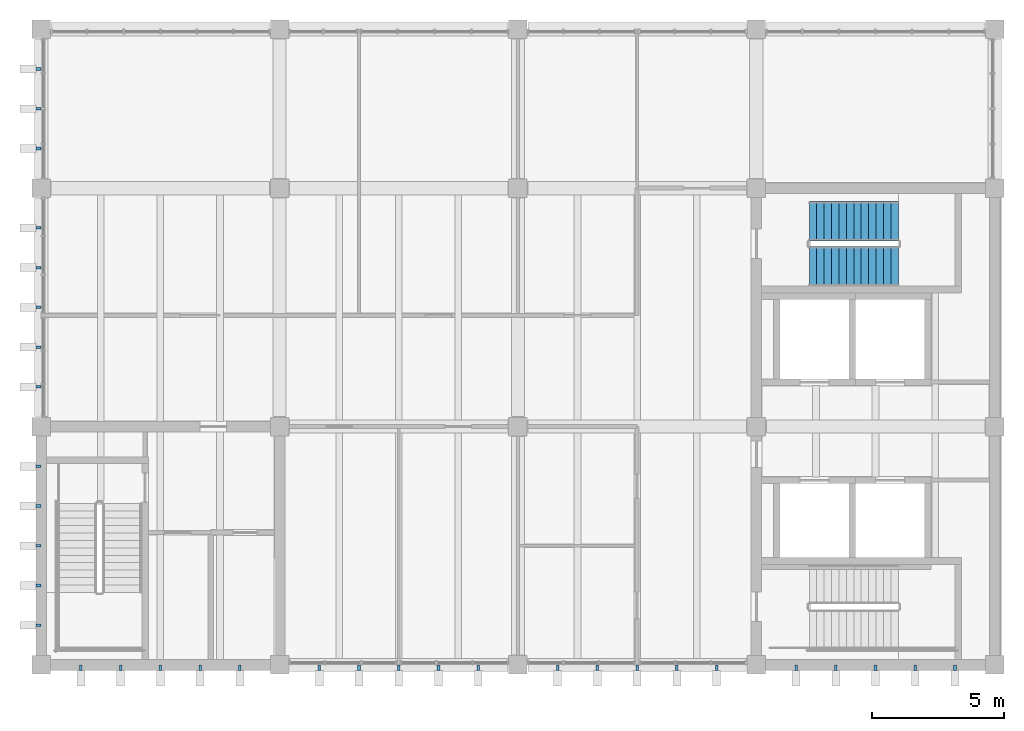
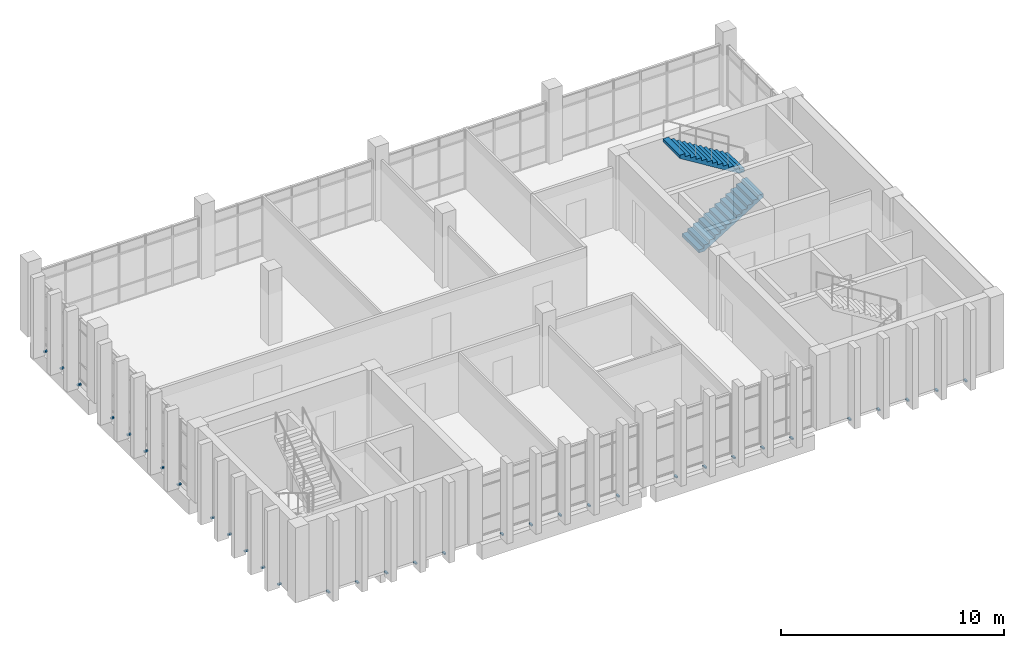
# One storey, part 11 of 14: 33 discrete accessories, 2 stair flights, 1 element without a shape of its own.
"""IFC4 building model written with IfcOpenShell, lengths in metres."""

from ifc_helpers import new_model, si_unit, direction, frame, origin, place, context, subcontext, project, spatial, polyline, outline, extrude, source, transform, mapped, material, type_object, element, aggregate, save


model = new_model("IFC4")

# Units and contexts
model_context = context("Model", 3, precision=1e-05, world=origin(), true_north=direction((0.0, 1.0)))
body_context = subcontext(model_context, "Body", "Model", "MODEL_VIEW")
ifc_project = project(units=[si_unit("LENGTHUNIT", "METRE"), si_unit("AREAUNIT", "SQUARE_METRE"), si_unit("VOLUMEUNIT", "CUBIC_METRE"), si_unit("PLANEANGLEUNIT", "RADIAN"), si_unit("MASSUNIT", "GRAM", prefix="KILO")], contexts=[model_context])

# Site, building, storey
site_placement = place(None, origin())
site = spatial("IfcSite", under=ifc_project, at=site_placement, CompositionType="ELEMENT")
building_placement = place(site_placement, origin())
building = spatial("IfcBuilding", under=site, at=building_placement, Name="Merrow Basin Faculty of Sciences", CompositionType="ELEMENT")
storey_placement = place(building_placement, frame((0.0, 0.0, 36.0)))
storey = spatial("IfcBuildingStorey", under=building, at=storey_placement, Name="L08", CompositionType="ELEMENT", Elevation=36.0)

# Stair, stair flights
ifc_material_1 = material(Name="Concrete C40/50", Category="concrete")
stair_type = type_object("IfcStairType", Name="Concrete dog-leg stair Concrete C40/50", PredefinedType="HALF_TURN_STAIR", material=ifc_material_1)
stair_placement = place(storey_placement, origin())
stair = element("IfcStair", 1, at=stair_placement, inside=storey, type_object=stair_type, Name="L08 Exit stair S", PredefinedType="HALF_TURN_STAIR")
ifc_material_2 = material(Name="Concrete C40/50", Category="concrete")
stair_flight_type = type_object("IfcStairFlightType", Name="Concrete stair flight Concrete C40/50", PredefinedType="STRAIGHT", material=ifc_material_2)
stair_flight_1_placement = place(storey_placement, frame((47.0, 157.050048828125, 0.0), z_axis=(0.0, 0.0, 1.0), x_axis=(1.0, 0.0, 0.0)))
stair_flight_1 = element("IfcStairFlight", 2, at=stair_flight_1_placement, type_object=stair_flight_type, Name="ST-V5-S flight 1", NumberOfRisers=13, NumberOfTreads=12, PredefinedType="STRAIGHT", RiserHeight=0.173076923, TreadLength=0.28, context=body_context, shape_type="SweptSolid", body=[
    extrude(outline(polyline([(0.0, 0.0), (0.0, 0.173095703125), (0.280029296875, 0.173095703125), (0.280029296875, 0.34619140625), (0.56005859375, 0.34619140625), (0.56005859375, 0.519287109375), (0.840087890625, 0.519287109375), (0.840087890625, 0.6923828125), (1.1201171875, 0.6923828125), (1.1201171875, 0.865478515625), (1.39990234375, 0.865478515625), (1.39990234375, 1.03857421875), (1.679931640625, 1.03857421875), (1.679931640625, 1.21142578125), (1.9599609375, 1.21142578125), (1.9599609375, 1.384521484375), (2.239990234375, 1.384521484375), (2.239990234375, 1.5576171875), (2.52001953125, 1.5576171875), (2.52001953125, 1.730712890625), (2.800048828125, 1.730712890625), (2.800048828125, 1.90380859375), (3.080078125, 1.90380859375), (3.080078125, 2.076904296875), (3.360107421875, 2.076904296875), (3.360107421875, 2.25), (3.360107421875, 1.900634765625), (0.28515625, 0.0), (0.0, 0.0)])), frame((0.0, 0.75, 0.0), z_axis=(0.0, -1.0, 0.0), x_axis=(1.0, 0.0, 0.0)), (0.0, 0.0, 1.0), 1.5),
])
stair_flight_2_placement = place(storey_placement, frame((50.360107421875, 158.75, 2.25), z_axis=(0.0, 0.0, 1.0), x_axis=(-1.0, 0.0, 0.0)))
stair_flight_2 = element("IfcStairFlight", 3, at=stair_flight_2_placement, type_object=stair_flight_type, Name="ST-V5-S flight 2", NumberOfRisers=13, NumberOfTreads=12, PredefinedType="STRAIGHT", RiserHeight=0.173076923, TreadLength=0.28, context=body_context, shape_type="SweptSolid", body=[
    extrude(outline(polyline([(0.0, 0.0), (0.0, 0.173095703125), (0.280029296875, 0.173095703125), (0.280029296875, 0.34619140625), (0.56005859375, 0.34619140625), (0.56005859375, 0.519287109375), (0.840087890625, 0.519287109375), (0.840087890625, 0.6923828125), (1.1201171875, 0.6923828125), (1.1201171875, 0.865478515625), (1.39990234375, 0.865478515625), (1.39990234375, 1.03857421875), (1.679931640625, 1.03857421875), (1.679931640625, 1.21142578125), (1.9599609375, 1.21142578125), (1.9599609375, 1.384521484375), (2.239990234375, 1.384521484375), (2.239990234375, 1.5576171875), (2.52001953125, 1.5576171875), (2.52001953125, 1.730712890625), (2.800048828125, 1.730712890625), (2.800048828125, 1.90380859375), (3.080078125, 1.90380859375), (3.080078125, 2.076904296875), (3.360107421875, 2.076904296875), (3.360107421875, 2.25), (3.360107421875, 1.900634765625), (0.28515625, 0.0), (0.0, 0.0)])), frame((0.0, 0.75, 0.0), z_axis=(0.0, -1.0, 0.0), x_axis=(1.0, 0.0, 0.0)), (0.0, 0.0, 1.0), 1.5),
])
aggregate(stair, [stair_flight_1, stair_flight_2])

# Discrete accessories
ifc_material_3 = material(Name="Steel ASTM A572 Gr 50", Category="steel")
discrete_accessory_type = type_object("IfcDiscreteAccessoryType", Name="Steel T bracket 100 x 80 fin", PredefinedType="BRACKET", material=ifc_material_3)
shared_shape = source(origin(), body_context, "Body", "SweptSolid", [
    extrude(outline(polyline([(0.0, 0.0), (0.10009765625, 0.0), (0.10009765625, 0.080078125), (0.0, 0.080078125), (0.0, 0.0)])), origin(), (0.0, 0.0, 1.0), 0.199951171875),
])
for number, where, z_axis, x_axis, name in (
    (4, (19.449951171875, 142.0, -0.199951171875), (0.0, -1.0, 0.0), (1.0, 0.0, 0.0), "Fin bracket SL08"),
    (5, (20.949951171875, 142.0, -0.199951171875), (0.0, -1.0, 0.0), (1.0, 0.0, 0.0), "Fin bracket SL08"),
    (6, (22.449951171875, 142.0, -0.199951171875), (0.0, -1.0, 0.0), (1.0, 0.0, 0.0), "Fin bracket SL08"),
    (7, (23.949951171875, 142.0, -0.199951171875), (0.0, -1.0, 0.0), (1.0, 0.0, 0.0), "Fin bracket SL08"),
    (8, (25.449951171875, 142.0, -0.199951171875), (0.0, -1.0, 0.0), (1.0, 0.0, 0.0), "Fin bracket SL08"),
    (9, (28.449951171875, 142.0, -0.199951171875), (0.0, -1.0, 0.0), (1.0, 0.0, 0.0), "Fin bracket SL08"),
    (10, (29.949951171875, 142.0, -0.199951171875), (0.0, -1.0, 0.0), (1.0, 0.0, 0.0), "Fin bracket SL08"),
    (11, (31.449951171875, 142.0, -0.199951171875), (0.0, -1.0, 0.0), (1.0, 0.0, 0.0), "Fin bracket SL08"),
    (12, (32.949951171875, 142.0, -0.199951171875), (0.0, -1.0, 0.0), (1.0, 0.0, 0.0), "Fin bracket SL08"),
    (13, (34.449951171875, 142.0, -0.199951171875), (0.0, -1.0, 0.0), (1.0, 0.0, 0.0), "Fin bracket SL08"),
    (14, (37.449951171875, 142.0, -0.199951171875), (0.0, -1.0, 0.0), (1.0, 0.0, 0.0), "Fin bracket SL08"),
    (15, (38.949951171875, 142.0, -0.199951171875), (0.0, -1.0, 0.0), (1.0, 0.0, 0.0), "Fin bracket SL08"),
    (16, (40.449951171875, 142.0, -0.199951171875), (0.0, -1.0, 0.0), (1.0, 0.0, 0.0), "Fin bracket SL08"),
    (17, (41.949951171875, 142.0, -0.199951171875), (0.0, -1.0, 0.0), (1.0, 0.0, 0.0), "Fin bracket SL08"),
    (18, (43.449951171875, 142.0, -0.199951171875), (0.0, -1.0, 0.0), (1.0, 0.0, 0.0), "Fin bracket SL08"),
    (19, (46.449951171875, 142.0, -0.199951171875), (0.0, -1.0, 0.0), (1.0, 0.0, 0.0), "Fin bracket SL08"),
    (20, (47.949951171875, 142.0, -0.199951171875), (0.0, -1.0, 0.0), (1.0, 0.0, 0.0), "Fin bracket SL08"),
    (21, (49.449951171875, 142.0, -0.199951171875), (0.0, -1.0, 0.0), (1.0, 0.0, 0.0), "Fin bracket SL08"),
    (22, (50.949951171875, 142.0, -0.199951171875), (0.0, -1.0, 0.0), (1.0, 0.0, 0.0), "Fin bracket SL08"),
    (23, (52.449951171875, 142.0, -0.199951171875), (0.0, -1.0, 0.0), (1.0, 0.0, 0.0), "Fin bracket SL08"),
    (24, (18.0, 143.550048828125, -0.199951171875), (-1.0, 0.0, 0.0), (0.0, -1.0, 0.0), "Fin bracket WL08"),
    (25, (18.0, 145.050048828125, -0.199951171875), (-1.0, 0.0, 0.0), (0.0, -1.0, 0.0), "Fin bracket WL08"),
    (26, (18.0, 146.550048828125, -0.199951171875), (-1.0, 0.0, 0.0), (0.0, -1.0, 0.0), "Fin bracket WL08"),
    (27, (18.0, 148.050048828125, -0.199951171875), (-1.0, 0.0, 0.0), (0.0, -1.0, 0.0), "Fin bracket WL08"),
    (28, (18.0, 149.550048828125, -0.199951171875), (-1.0, 0.0, 0.0), (0.0, -1.0, 0.0), "Fin bracket WL08"),
    (29, (18.0, 152.550048828125, -0.199951171875), (-1.0, 0.0, 0.0), (0.0, -1.0, 0.0), "Fin bracket WL08"),
    (30, (18.0, 154.050048828125, -0.199951171875), (-1.0, 0.0, 0.0), (0.0, -1.0, 0.0), "Fin bracket WL08"),
    (31, (18.0, 155.550048828125, -0.199951171875), (-1.0, 0.0, 0.0), (0.0, -1.0, 0.0), "Fin bracket WL08"),
    (32, (18.0, 157.050048828125, -0.199951171875), (-1.0, 0.0, 0.0), (0.0, -1.0, 0.0), "Fin bracket WL08"),
    (33, (18.0, 158.550048828125, -0.199951171875), (-1.0, 0.0, 0.0), (0.0, -1.0, 0.0), "Fin bracket WL08"),
    (34, (18.0, 161.550048828125, -0.199951171875), (-1.0, 0.0, 0.0), (0.0, -1.0, 0.0), "Fin bracket WL08"),
    (35, (18.0, 163.050048828125, -0.199951171875), (-1.0, 0.0, 0.0), (0.0, -1.0, 0.0), "Fin bracket WL08"),
    (36, (18.0, 164.550048828125, -0.199951171875), (-1.0, 0.0, 0.0), (0.0, -1.0, 0.0), "Fin bracket WL08"),
):
    element("IfcDiscreteAccessory", number, at=place(storey_placement, frame(where, z_axis=z_axis, x_axis=x_axis)), inside=storey, type_object=discrete_accessory_type, Name=name, PredefinedType="BRACKET", context=body_context, shape_type="MappedRepresentation", body=[
        mapped(shared_shape, transform((0.0, 0.0, 0.0), scale=1.0)),
    ])

save(model, "model.ifc")
